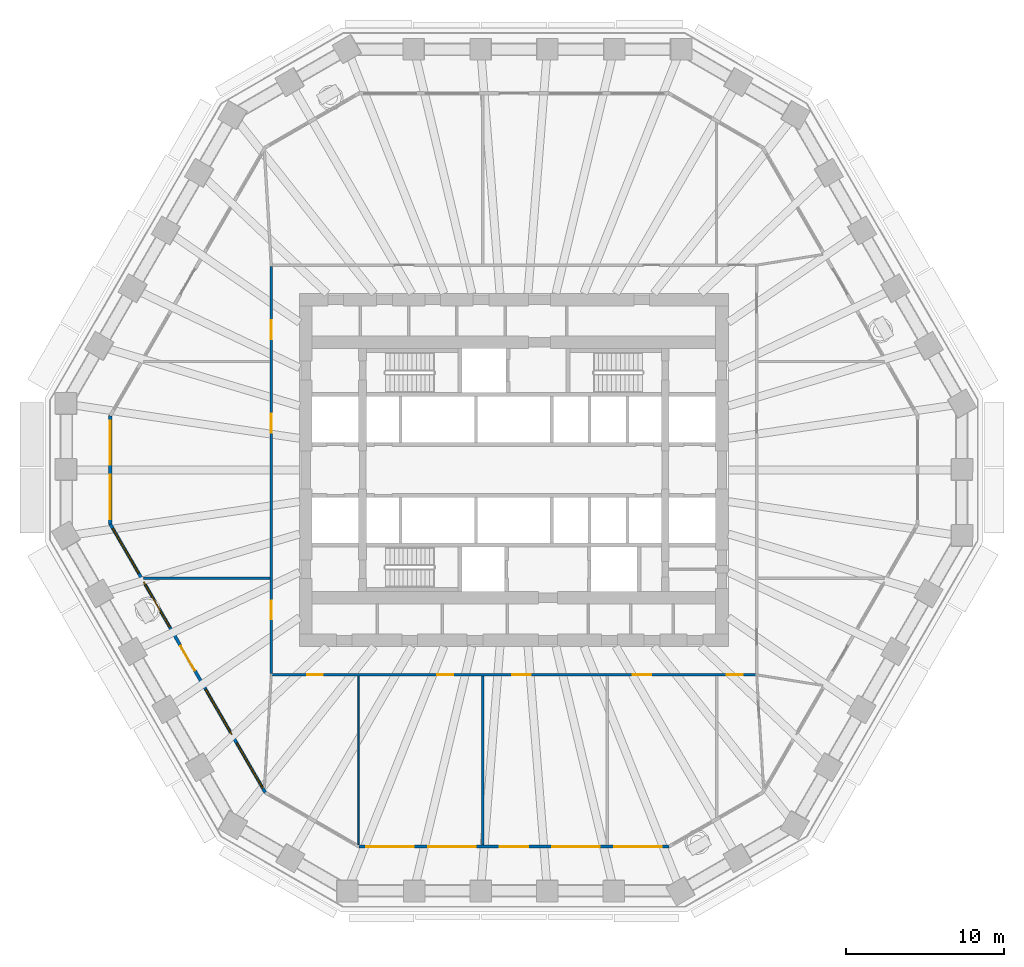
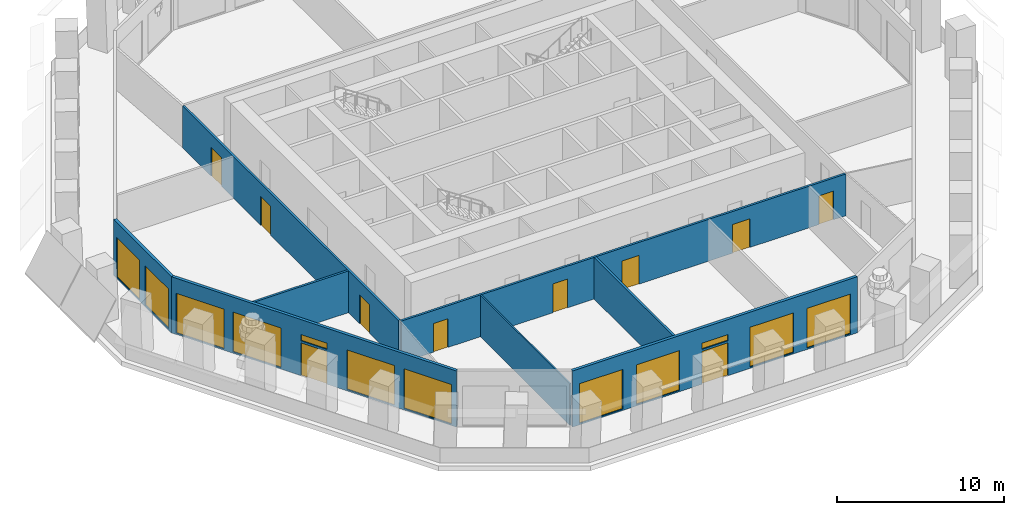
# One storey, part 3 of 12: 12 windows, 10 doors, 8 walls, 22 openings.
"""IFC4 building model written with IfcOpenShell, lengths in metres."""

from ifc_helpers import new_model, si_unit, direction, frame, frame_2d, origin, place, context, subcontext, project, spatial, polyline, rectangle, outline, extrude, material, layer, layer_set, type_object, element, fill, save


model = new_model("IFC4")

# Units and contexts
model_context = context("Model", 3, precision=1e-05, world=origin(), true_north=direction((0.0, 1.0)))
body_context = subcontext(model_context, "Body", "Model", "MODEL_VIEW")
ifc_project = project(units=[si_unit("LENGTHUNIT", "METRE"), si_unit("AREAUNIT", "SQUARE_METRE"), si_unit("VOLUMEUNIT", "CUBIC_METRE"), si_unit("PLANEANGLEUNIT", "RADIAN"), si_unit("MASSUNIT", "GRAM", prefix="KILO")], contexts=[model_context])

# Site, building, storey
site_placement = place(None, origin())
site = spatial("IfcSite", under=ifc_project, at=site_placement, CompositionType="ELEMENT")
building_placement = place(site_placement, origin())
building = spatial("IfcBuilding", under=site, at=building_placement, Name="Frailejon Research Tower", CompositionType="ELEMENT")
storey_placement = place(building_placement, frame((0.0, 0.0, 80.800048828125)))
storey = spatial("IfcBuildingStorey", under=building, at=storey_placement, Name="L17", CompositionType="ELEMENT", Elevation=80.800048828125)

# Wall, openings, doors
ifc_material_1 = material(Name="Gypsum board and masonry partition", Category="masonry")
ifc_layer_1 = layer(ifc_material_1, 0.14990234375)
ifc_layer_set_1 = layer_set([ifc_layer_1], Name="Corridor wall EI 60, gypsum on steel studs 150")
wall_type_1 = type_object("IfcWallType", Name="Corridor wall EI 60, gypsum on steel studs 150", PredefinedType="PARTITIONING", material=ifc_layer_set_1)
wall_1_placement = place(storey_placement, frame((-15.39990234375, -12.925048828125, 0.0), z_axis=(0.0, 0.0, 1.0), x_axis=(0.0, 1.0, 0.0)))
wall_1 = element("IfcWall", 1, at=wall_1_placement, inside=storey, type_object=wall_type_1, Name="T:IW:L17:003", PredefinedType="PARTITIONING", context=body_context, shape_type="SweptSolid", body=[
    extrude(rectangle(XDim=25.85009765625, YDim=0.14990234375, at=frame_2d((12.925048828125, 0.0))), origin(), (0.0, 0.0, 1.0), 3.050048828125),
])
opening_1_placement = place(wall_1_placement, frame((21.208740234375, 0.0, 0.0)))
opening_1 = element("IfcOpeningElement", 2, at=opening_1_placement, cuts=wall_1, Name="Opening D1488", PredefinedType="OPENING", context=body_context, shape_type="SweptSolid", body=[
    extrude(rectangle(XDim=1.199951171875, YDim=2.10009765625, at=frame_2d((0.60009765625, 1.050048828125))), frame((0.0, 0.0849609375, 0.0), z_axis=(0.0, -1.0, 0.0), x_axis=(1.0, 0.0, 0.0)), (0.0, 0.0, 1.0), 0.169921875),
])
opening_2_placement = place(wall_1_placement, frame((15.289306640625, 0.0, 0.0)))
opening_2 = element("IfcOpeningElement", 3, at=opening_2_placement, cuts=wall_1, Name="Opening D1489", PredefinedType="OPENING", context=body_context, shape_type="SweptSolid", body=[
    extrude(rectangle(XDim=1.199951171875, YDim=2.10009765625, at=frame_2d((0.60009765625, 1.050048828125))), frame((0.0, 0.0849609375, 0.0), z_axis=(0.0, -1.0, 0.0), x_axis=(1.0, 0.0, 0.0)), (0.0, 0.0, 1.0), 0.169921875),
])
opening_3_placement = place(wall_1_placement, frame((3.441162109375, 0.0, 0.0)))
opening_3 = element("IfcOpeningElement", 4, at=opening_3_placement, cuts=wall_1, Name="Opening D1490", PredefinedType="OPENING", context=body_context, shape_type="SweptSolid", body=[
    extrude(rectangle(XDim=1.199951171875, YDim=2.10009765625, at=frame_2d((0.60009765625, 1.050048828125))), frame((0.0, 0.0849609375, 0.0), z_axis=(0.0, -1.0, 0.0), x_axis=(1.0, 0.0, 0.0)), (0.0, 0.0, 1.0), 0.169921875),
])
ifc_material_2 = material(Name="Timber door leaf", Category="wood")
door_type_1 = type_object("IfcDoorType", Name="Door laboratory, timber, vision panel 1200", OperationType="NOTDEFINED", PredefinedType="DOOR", material=ifc_material_2)
door_1_placement = place(opening_1_placement, origin())
door_1 = element("IfcDoor", 5, at=door_1_placement, inside=storey, type_object=door_type_1, Name="D1488", OperationType="DOUBLE_DOOR_SINGLE_SWING", OverallHeight=2.10009765625, OverallWidth=1.199951171875, PredefinedType="DOOR", context=body_context, shape_type="SweptSolid", body=[
    extrude(rectangle(XDim=1.199951171875, YDim=2.10009765625, at=frame_2d((0.60009765625, 1.050048828125))), frame((0.0, 0.02490234375, 0.0), z_axis=(0.0, -1.0, 0.0), x_axis=(1.0, 0.0, 0.0)), (0.0, 0.0, 1.0), 0.050048828125),
])
fill(opening_1, door_1)
door_2_placement = place(opening_2_placement, origin())
door_2 = element("IfcDoor", 6, at=door_2_placement, inside=storey, type_object=door_type_1, Name="D1489", OperationType="DOUBLE_DOOR_SINGLE_SWING", OverallHeight=2.10009765625, OverallWidth=1.199951171875, PredefinedType="DOOR", context=body_context, shape_type="SweptSolid", body=[
    extrude(rectangle(XDim=1.199951171875, YDim=2.10009765625, at=frame_2d((0.60009765625, 1.050048828125))), frame((0.0, 0.02490234375, 0.0), z_axis=(0.0, -1.0, 0.0), x_axis=(1.0, 0.0, 0.0)), (0.0, 0.0, 1.0), 0.050048828125),
])
fill(opening_2, door_2)
ifc_material_3 = material(Name="Timber door leaf", Category="wood")
door_type_2 = type_object("IfcDoorType", Name="Door single leaf, timber, steel frame 1200", OperationType="NOTDEFINED", PredefinedType="DOOR", material=ifc_material_3)
door_3_placement = place(opening_3_placement, origin())
door_3 = element("IfcDoor", 7, at=door_3_placement, inside=storey, type_object=door_type_2, Name="D1490", OperationType="DOUBLE_DOOR_SINGLE_SWING", OverallHeight=2.10009765625, OverallWidth=1.199951171875, PredefinedType="DOOR", context=body_context, shape_type="SweptSolid", body=[
    extrude(rectangle(XDim=1.199951171875, YDim=2.10009765625, at=frame_2d((0.60009765625, 1.050048828125))), frame((0.0, 0.02490234375, 0.0), z_axis=(0.0, -1.0, 0.0), x_axis=(1.0, 0.0, 0.0)), (0.0, 0.0, 1.0), 0.050048828125),
])
fill(opening_3, door_3)

wall_2_placement = place(storey_placement, frame((-15.35009765625, -13.0, 0.0), z_axis=(0.0, 0.0, 1.0), x_axis=(1.0, 0.0, 0.0)))
wall_2 = element("IfcWall", 8, at=wall_2_placement, inside=storey, type_object=wall_type_1, Name="T:IW:L17:004", PredefinedType="PARTITIONING", context=body_context, shape_type="SweptSolid", body=[
    extrude(rectangle(XDim=30.7001953125, YDim=0.14990234375, at=frame_2d((15.35009765625, 0.0))), origin(), (0.0, 0.0, 1.0), 3.050048828125),
])
opening_4_placement = place(wall_2_placement, frame((2.2216796875, 0.0, 0.0)))
opening_4 = element("IfcOpeningElement", 9, at=opening_4_placement, cuts=wall_2, Name="Opening D1491", PredefinedType="OPENING", context=body_context, shape_type="SweptSolid", body=[
    extrude(rectangle(XDim=1.0, YDim=2.10009765625, at=frame_2d((0.5, 1.050048828125))), frame((0.0, 0.0849609375, 0.0), z_axis=(0.0, -1.0, 0.0), x_axis=(1.0, 0.0, 0.0)), (0.0, 0.0, 1.0), 0.169921875),
])
opening_5_placement = place(wall_2_placement, frame((10.482421875, 0.0, 0.0)))
opening_5 = element("IfcOpeningElement", 10, at=opening_5_placement, cuts=wall_2, Name="Opening D1492", PredefinedType="OPENING", context=body_context, shape_type="SweptSolid", body=[
    extrude(rectangle(XDim=1.0, YDim=2.10009765625, at=frame_2d((0.5, 1.050048828125))), frame((0.0, 0.0849609375, 0.0), z_axis=(0.0, -1.0, 0.0), x_axis=(1.0, 0.0, 0.0)), (0.0, 0.0, 1.0), 0.169921875),
])
opening_6_placement = place(wall_2_placement, frame((15.22509765625, 0.0, 0.0)))
opening_6 = element("IfcOpeningElement", 11, at=opening_6_placement, cuts=wall_2, Name="Opening D1493", PredefinedType="OPENING", context=body_context, shape_type="SweptSolid", body=[
    extrude(rectangle(XDim=1.199951171875, YDim=2.10009765625, at=frame_2d((0.60009765625, 1.050048828125))), frame((0.0, 0.0849609375, 0.0), z_axis=(0.0, -1.0, 0.0), x_axis=(1.0, 0.0, 0.0)), (0.0, 0.0, 1.0), 0.169921875),
])
opening_7_placement = place(wall_2_placement, frame((22.87451171875, 0.0, 0.0)))
opening_7 = element("IfcOpeningElement", 12, at=opening_7_placement, cuts=wall_2, Name="Opening D1494", PredefinedType="OPENING", context=body_context, shape_type="SweptSolid", body=[
    extrude(rectangle(XDim=1.199951171875, YDim=2.10009765625, at=frame_2d((0.60009765625, 1.050048828125))), frame((0.0, 0.0849609375, 0.0), z_axis=(0.0, -1.0, 0.0), x_axis=(1.0, 0.0, 0.0)), (0.0, 0.0, 1.0), 0.169921875),
])
opening_8_placement = place(wall_2_placement, frame((28.851806640625, 0.0, 0.0)))
opening_8 = element("IfcOpeningElement", 13, at=opening_8_placement, cuts=wall_2, Name="Opening D1495", PredefinedType="OPENING", context=body_context, shape_type="SweptSolid", body=[
    extrude(rectangle(XDim=1.0, YDim=2.10009765625, at=frame_2d((0.5, 1.050048828125))), frame((0.0, 0.0849609375, 0.0), z_axis=(0.0, -1.0, 0.0), x_axis=(1.0, 0.0, 0.0)), (0.0, 0.0, 1.0), 0.169921875),
])
door_4_placement = place(opening_6_placement, origin())
door_4 = element("IfcDoor", 14, at=door_4_placement, inside=storey, type_object=door_type_1, Name="D1493", OperationType="DOUBLE_DOOR_SINGLE_SWING", OverallHeight=2.10009765625, OverallWidth=1.199951171875, PredefinedType="DOOR", context=body_context, shape_type="SweptSolid", body=[
    extrude(rectangle(XDim=1.199951171875, YDim=2.10009765625, at=frame_2d((0.60009765625, 1.050048828125))), frame((0.0, 0.02490234375, 0.0), z_axis=(0.0, -1.0, 0.0), x_axis=(1.0, 0.0, 0.0)), (0.0, 0.0, 1.0), 0.050048828125),
])
fill(opening_6, door_4)
door_5_placement = place(opening_7_placement, origin())
door_5 = element("IfcDoor", 15, at=door_5_placement, inside=storey, type_object=door_type_1, Name="D1494", OperationType="DOUBLE_DOOR_SINGLE_SWING", OverallHeight=2.10009765625, OverallWidth=1.199951171875, PredefinedType="DOOR", context=body_context, shape_type="SweptSolid", body=[
    extrude(rectangle(XDim=1.199951171875, YDim=2.10009765625, at=frame_2d((0.60009765625, 1.050048828125))), frame((0.0, 0.02490234375, 0.0), z_axis=(0.0, -1.0, 0.0), x_axis=(1.0, 0.0, 0.0)), (0.0, 0.0, 1.0), 0.050048828125),
])
fill(opening_7, door_5)
ifc_material_4 = material(Name="Timber door leaf", Category="wood")
door_type_3 = type_object("IfcDoorType", Name="Door single leaf, timber, steel frame 1000", OperationType="NOTDEFINED", PredefinedType="DOOR", material=ifc_material_4)
door_6_placement = place(opening_4_placement, origin())
door_6 = element("IfcDoor", 16, at=door_6_placement, inside=storey, type_object=door_type_3, Name="D1491", OperationType="SINGLE_SWING_LEFT", OverallHeight=2.10009765625, OverallWidth=1.0, PredefinedType="DOOR", context=body_context, shape_type="SweptSolid", body=[
    extrude(rectangle(XDim=1.0, YDim=2.10009765625, at=frame_2d((0.5, 1.050048828125))), frame((0.0, 0.02490234375, 0.0), z_axis=(0.0, -1.0, 0.0), x_axis=(1.0, 0.0, 0.0)), (0.0, 0.0, 1.0), 0.050048828125),
])
fill(opening_4, door_6)
door_7_placement = place(opening_5_placement, origin())
door_7 = element("IfcDoor", 17, at=door_7_placement, inside=storey, type_object=door_type_3, Name="D1492", OperationType="SINGLE_SWING_LEFT", OverallHeight=2.10009765625, OverallWidth=1.0, PredefinedType="DOOR", context=body_context, shape_type="SweptSolid", body=[
    extrude(rectangle(XDim=1.0, YDim=2.10009765625, at=frame_2d((0.5, 1.050048828125))), frame((0.0, 0.02490234375, 0.0), z_axis=(0.0, -1.0, 0.0), x_axis=(1.0, 0.0, 0.0)), (0.0, 0.0, 1.0), 0.050048828125),
])
fill(opening_5, door_7)
door_8_placement = place(opening_8_placement, origin())
door_8 = element("IfcDoor", 18, at=door_8_placement, inside=storey, type_object=door_type_3, Name="D1495", OperationType="SINGLE_SWING_RIGHT", OverallHeight=2.10009765625, OverallWidth=1.0, PredefinedType="DOOR", context=body_context, shape_type="SweptSolid", body=[
    extrude(rectangle(XDim=1.0, YDim=2.10009765625, at=frame_2d((0.5, 1.050048828125))), frame((0.0, 0.02490234375, 0.0), z_axis=(0.0, -1.0, 0.0), x_axis=(1.0, 0.0, 0.0)), (0.0, 0.0, 1.0), 0.050048828125),
])
fill(opening_8, door_8)

# Walls
ifc_material_5 = material(Name="Gypsum board and masonry partition", Category="masonry")
ifc_layer_2 = layer(ifc_material_5, 0.14990234375)
ifc_layer_set_2 = layer_set([ifc_layer_2], Name="Laboratory partition, blockwork 150")
wall_type_2 = type_object("IfcWallType", Name="Laboratory partition, blockwork 150", PredefinedType="PARTITIONING", material=ifc_layer_set_2)
wall_3_placement = place(storey_placement, frame((-23.510498046875, -6.87841796875, 0.0), z_axis=(0.0, 0.0, 1.0), x_axis=(1.0, 0.0, 0.0)))
element("IfcWall", 19, at=wall_3_placement, inside=storey, type_object=wall_type_2, Name="T:IW:L17:007", PredefinedType="PARTITIONING", context=body_context, shape_type="SweptSolid", body=[
    extrude(rectangle(XDim=8.035400390625, YDim=0.14990234375, at=frame_2d((4.017578125, 0.0))), origin(), (0.0, 0.0, 1.0), 3.050048828125),
])
wall_4_placement = place(storey_placement, frame((-1.97119140625, -23.800048828125, 0.0), z_axis=(0.0, 0.0, 1.0), x_axis=(0.0, 1.0, 0.0)))
element("IfcWall", 20, at=wall_4_placement, inside=storey, type_object=wall_type_2, Name="T:IW:L17:009", PredefinedType="PARTITIONING", context=body_context, shape_type="SweptSolid", body=[
    extrude(rectangle(XDim=10.72509765625, YDim=0.14990234375, at=frame_2d((5.362548828125, 0.0))), origin(), (0.0, 0.0, 1.0), 3.050048828125),
])
ifc_material_6 = material(Name="Gypsum board and masonry partition", Category="masonry")
ifc_layer_3 = layer(ifc_material_6, 0.10009765625)
ifc_layer_set_3 = layer_set([ifc_layer_3], Name="Partition, gypsum on steel studs 100")
wall_type_3 = type_object("IfcWallType", Name="Partition, gypsum on steel studs 100", PredefinedType="PARTITIONING", material=ifc_layer_set_3)
wall_5_placement = place(storey_placement, frame((-9.8564453125, -23.76904296875, 0.0), z_axis=(0.0, 0.0, 1.0), x_axis=(0.0, 1.0, 0.0)))
element("IfcWall", 21, at=wall_5_placement, inside=storey, type_object=wall_type_3, Name="T:IW:L17:017", PredefinedType="PARTITIONING", context=body_context, shape_type="SweptSolid", body=[
    extrude(rectangle(XDim=10.694091796875, YDim=0.10009765625, at=frame_2d((5.34716796875, 0.0))), origin(), (0.0, 0.0, 1.0), 3.050048828125),
])

# Wall, openings, windows
ifc_material_7 = material(Name="Concrete C40/50 precast window wall panel", Category="concrete")
ifc_layer_4 = layer(ifc_material_7, 0.199951171875)
ifc_layer_set_4 = layer_set([ifc_layer_4], Name="Window wall 200")
wall_type_4 = type_object("IfcWallType", Name="Window wall 200", PredefinedType="SOLIDWALL", material=ifc_layer_set_4)
wall_6_placement = place(storey_placement, frame((-25.61279296875, 3.437255859375, 0.0), z_axis=(0.0, 0.0, 1.0), x_axis=(0.0, -1.0, 0.0)))
wall_6 = element("IfcWall", 22, at=wall_6_placement, inside=storey, type_object=wall_type_4, Name="Exterior wall L17", PredefinedType="SOLIDWALL", context=body_context, shape_type="SweptSolid", body=[
    extrude(outline(polyline([(-0.02685546875, -0.10009765625), (1.1279296875, -0.10009765625), (2.282470703125, -0.10009765625), (3.437255859375, -0.10009765625), (4.592041015625, -0.10009765625), (5.74658203125, -0.10009765625), (6.9013671875, -0.10009765625), (6.84765625, 0.10009765625), (5.7109375, 0.10009765625), (4.573974609375, 0.10009765625), (3.437255859375, 0.10009765625), (2.300537109375, 0.10009765625), (1.16357421875, 0.10009765625), (0.02685546875, 0.10009765625), (-0.02685546875, -0.10009765625)])), origin(), (0.0, 0.0, 1.0), 4.099853515625),
])
opening_9_placement = place(wall_6_placement, frame((0.318603515625, 0.0, 0.10009765625)))
opening_9 = element("IfcOpeningElement", 23, at=opening_9_placement, cuts=wall_6, Name="Opening W3", PredefinedType="OPENING", context=body_context, shape_type="SweptSolid", body=[
    extrude(rectangle(XDim=2.800048828125, YDim=2.89990234375, at=frame_2d((1.39990234375, 1.449951171875))), frame((0.0, 0.10986328125, 0.0), z_axis=(0.0, -1.0, 0.0), x_axis=(1.0, 0.0, 0.0)), (0.0, 0.0, 1.0), 0.219970703125),
])
opening_10_placement = place(wall_6_placement, frame((3.756103515625, 0.0, 0.10009765625)))
opening_10 = element("IfcOpeningElement", 24, at=opening_10_placement, cuts=wall_6, Name="Opening W3", PredefinedType="OPENING", context=body_context, shape_type="SweptSolid", body=[
    extrude(rectangle(XDim=2.800048828125, YDim=2.89990234375, at=frame_2d((1.39990234375, 1.449951171875))), frame((0.0, 0.10986328125, 0.0), z_axis=(0.0, -1.0, 0.0), x_axis=(1.0, 0.0, 0.0)), (0.0, 0.0, 1.0), 0.219970703125),
])
ifc_material_8 = material(Name="Aluminium framed double glazing", Category="aluminium")
window_type_1 = type_object("IfcWindowType", Name="Window 2800x2900", PartitioningType="SINGLE_PANEL", PredefinedType="WINDOW", material=ifc_material_8)
window_1_placement = place(opening_9_placement, origin())
window_1 = element("IfcWindow", 25, at=window_1_placement, inside=storey, type_object=window_type_1, Name="Window L17", OverallHeight=2.89990234375, OverallWidth=2.800048828125, PartitioningType="SINGLE_PANEL", PredefinedType="WINDOW", context=body_context, shape_type="SweptSolid", body=[
    extrude(rectangle(XDim=2.800048828125, YDim=2.89990234375, at=frame_2d((1.39990234375, 1.449951171875))), frame((0.0, 0.030029296875, 0.0), z_axis=(0.0, -1.0, 0.0), x_axis=(1.0, 0.0, 0.0)), (0.0, 0.0, 1.0), 0.06005859375),
])
fill(opening_9, window_1)
window_2_placement = place(opening_10_placement, origin())
window_2 = element("IfcWindow", 26, at=window_2_placement, inside=storey, type_object=window_type_1, Name="Window L17", OverallHeight=2.89990234375, OverallWidth=2.800048828125, PartitioningType="SINGLE_PANEL", PredefinedType="WINDOW", context=body_context, shape_type="SweptSolid", body=[
    extrude(rectangle(XDim=2.800048828125, YDim=2.89990234375, at=frame_2d((1.39990234375, 1.449951171875))), frame((0.0, 0.030029296875, 0.0), z_axis=(0.0, -1.0, 0.0), x_axis=(1.0, 0.0, 0.0)), (0.0, 0.0, 1.0), 0.06005859375),
])
fill(opening_10, window_2)

# Wall, openings, door, windows
wall_7_placement = place(storey_placement, frame((-25.61279296875, -3.437255859375, 0.0), z_axis=(0.0, 0.0, 1.0), x_axis=(0.499999083763, -0.866025932773, 0.0)))
wall_7 = element("IfcWall", 27, at=wall_7_placement, inside=storey, type_object=wall_type_4, Name="Exterior wall L17", PredefinedType="SOLIDWALL", context=body_context, shape_type="SweptSolid", body=[
    extrude(outline(polyline([(-0.02685546875, -0.10009765625), (1.0107421875, -0.10009765625), (2.048095703125, -0.10009765625), (3.085693359375, -0.10009765625), (4.123291015625, -0.10009765625), (5.16064453125, -0.10009765625), (6.1982421875, -0.10009765625), (7.23583984375, -0.10009765625), (8.273193359375, -0.10009765625), (9.310791015625, -0.10009765625), (10.348388671875, -0.10009765625), (11.385986328125, -0.10009765625), (12.42333984375, -0.10009765625), (13.4609375, -0.10009765625), (14.49853515625, -0.10009765625), (15.535888671875, -0.10009765625), (16.573486328125, -0.10009765625), (17.611083984375, -0.10009765625), (18.6484375, -0.10009765625), (19.68603515625, -0.10009765625), (19.63232421875, 0.10009765625), (18.600341796875, 0.10009765625), (17.568603515625, 0.10009765625), (16.53662109375, 0.10009765625), (15.5048828125, 0.10009765625), (14.472900390625, 0.10009765625), (13.441162109375, 0.10009765625), (12.4091796875, 0.10009765625), (11.37744140625, 0.10009765625), (10.345458984375, 0.10009765625), (9.313720703125, 0.10009765625), (8.28173828125, 0.10009765625), (7.25, 0.10009765625), (6.218017578125, 0.10009765625), (5.186279296875, 0.10009765625), (4.154296875, 0.10009765625), (3.12255859375, 0.10009765625), (2.090576171875, 0.10009765625), (1.058837890625, 0.10009765625), (0.02685546875, 0.10009765625), (-0.02685546875, -0.10009765625)])), origin(), (0.0, 0.0, 1.0), 4.099853515625),
])
opening_11_placement = place(wall_7_placement, frame((0.31591796875, 0.0, 0.10009765625)))
opening_11 = element("IfcOpeningElement", 28, at=opening_11_placement, cuts=wall_7, Name="Opening W5", PredefinedType="OPENING", context=body_context, shape_type="SweptSolid", body=[
    extrude(rectangle(XDim=3.300048828125, YDim=2.89990234375, at=frame_2d((1.64990234375, 1.449951171875))), frame((0.0, 0.10986328125, 0.0), z_axis=(0.0, -1.0, 0.0), x_axis=(1.0, 0.0, 0.0)), (0.0, 0.0, 1.0), 0.219970703125),
])
opening_12_placement = place(wall_7_placement, frame((4.247802734375, 0.0, 0.10009765625)))
opening_12 = element("IfcOpeningElement", 29, at=opening_12_placement, cuts=wall_7, Name="Opening W5", PredefinedType="OPENING", context=body_context, shape_type="SweptSolid", body=[
    extrude(rectangle(XDim=3.300048828125, YDim=2.89990234375, at=frame_2d((1.64990234375, 1.449951171875))), frame((0.0, 0.10986328125, 0.0), z_axis=(0.0, -1.0, 0.0), x_axis=(1.0, 0.0, 0.0)), (0.0, 0.0, 1.0), 0.219970703125),
])
opening_13_placement = place(wall_7_placement, frame((8.9296875, 0.0, 0.0)))
opening_13 = element("IfcOpeningElement", 30, at=opening_13_placement, cuts=wall_7, Name="Opening LG17-4", PredefinedType="OPENING", context=body_context, shape_type="SweptSolid", body=[
    extrude(rectangle(XDim=1.800048828125, YDim=2.39990234375, at=frame_2d((0.89990234375, 1.199951171875))), frame((0.0, 0.10986328125, 0.0), z_axis=(0.0, -1.0, 0.0), x_axis=(1.0, 0.0, 0.0)), (0.0, 0.0, 1.0), 0.219970703125),
])
opening_14_placement = place(wall_7_placement, frame((8.9296875, 0.0, 2.550048828125)))
opening_14 = element("IfcOpeningElement", 31, at=opening_14_placement, cuts=wall_7, Name="Opening W1", PredefinedType="OPENING", context=body_context, shape_type="SweptSolid", body=[
    extrude(rectangle(XDim=1.800048828125, YDim=0.449951171875, at=frame_2d((0.89990234375, 0.22509765625))), frame((0.0, 0.10986328125, 0.0), z_axis=(0.0, -1.0, 0.0), x_axis=(1.0, 0.0, 0.0)), (0.0, 0.0, 1.0), 0.219970703125),
])
opening_15_placement = place(wall_7_placement, frame((12.111572265625, 0.0, 0.10009765625)))
opening_15 = element("IfcOpeningElement", 32, at=opening_15_placement, cuts=wall_7, Name="Opening W5", PredefinedType="OPENING", context=body_context, shape_type="SweptSolid", body=[
    extrude(rectangle(XDim=3.300048828125, YDim=2.89990234375, at=frame_2d((1.64990234375, 1.449951171875))), frame((0.0, 0.10986328125, 0.0), z_axis=(0.0, -1.0, 0.0), x_axis=(1.0, 0.0, 0.0)), (0.0, 0.0, 1.0), 0.219970703125),
])
opening_16_placement = place(wall_7_placement, frame((16.043212890625, 0.0, 0.10009765625)))
opening_16 = element("IfcOpeningElement", 33, at=opening_16_placement, cuts=wall_7, Name="Opening W5", PredefinedType="OPENING", context=body_context, shape_type="SweptSolid", body=[
    extrude(rectangle(XDim=3.300048828125, YDim=2.89990234375, at=frame_2d((1.64990234375, 1.449951171875))), frame((0.0, 0.10986328125, 0.0), z_axis=(0.0, -1.0, 0.0), x_axis=(1.0, 0.0, 0.0)), (0.0, 0.0, 1.0), 0.219970703125),
])
ifc_material_9 = material(Name="Aluminium framed glazed door leaf", Category="aluminium")
door_type_4 = type_object("IfcDoorType", Name="Loggia door 1800x2400", OperationType="DOUBLE_DOOR_SINGLE_SWING", PredefinedType="DOOR", material=ifc_material_9)
door_9_placement = place(opening_13_placement, origin())
door_9 = element("IfcDoor", 34, at=door_9_placement, inside=storey, type_object=door_type_4, Name="Door LG17-4", OperationType="DOUBLE_DOOR_SINGLE_SWING", OverallHeight=2.39990234375, OverallWidth=1.800048828125, PredefinedType="DOOR", context=body_context, shape_type="SweptSolid", body=[
    extrude(rectangle(XDim=1.800048828125, YDim=2.39990234375, at=frame_2d((0.89990234375, 1.199951171875))), frame((0.0, 0.02490234375, 0.0), z_axis=(0.0, -1.0, 0.0), x_axis=(1.0, 0.0, 0.0)), (0.0, 0.0, 1.0), 0.050048828125),
])
fill(opening_13, door_9)
ifc_material_10 = material(Name="Aluminium framed double glazing", Category="aluminium")
window_type_2 = type_object("IfcWindowType", Name="Window 1800x450", PartitioningType="SINGLE_PANEL", PredefinedType="WINDOW", material=ifc_material_10)
window_3_placement = place(opening_14_placement, origin())
window_3 = element("IfcWindow", 35, at=window_3_placement, inside=storey, type_object=window_type_2, Name="Window L17", OverallHeight=0.449951171875, OverallWidth=1.800048828125, PartitioningType="SINGLE_PANEL", PredefinedType="WINDOW", context=body_context, shape_type="SweptSolid", body=[
    extrude(rectangle(XDim=1.800048828125, YDim=0.449951171875, at=frame_2d((0.89990234375, 0.22509765625))), frame((0.0, 0.030029296875, 0.0), z_axis=(0.0, -1.0, 0.0), x_axis=(1.0, 0.0, 0.0)), (0.0, 0.0, 1.0), 0.06005859375),
])
fill(opening_14, window_3)
ifc_material_11 = material(Name="Aluminium framed double glazing", Category="aluminium")
window_type_3 = type_object("IfcWindowType", Name="Window 3300x2900", PartitioningType="SINGLE_PANEL", PredefinedType="WINDOW", material=ifc_material_11)
window_4_placement = place(opening_11_placement, origin())
window_4 = element("IfcWindow", 36, at=window_4_placement, inside=storey, type_object=window_type_3, Name="Window L17", OverallHeight=2.89990234375, OverallWidth=3.300048828125, PartitioningType="SINGLE_PANEL", PredefinedType="WINDOW", context=body_context, shape_type="SweptSolid", body=[
    extrude(rectangle(XDim=3.300048828125, YDim=2.89990234375, at=frame_2d((1.64990234375, 1.449951171875))), frame((0.0, 0.030029296875, 0.0), z_axis=(0.0, -1.0, 0.0), x_axis=(1.0, 0.0, 0.0)), (0.0, 0.0, 1.0), 0.06005859375),
])
fill(opening_11, window_4)
window_5_placement = place(opening_12_placement, origin())
window_5 = element("IfcWindow", 37, at=window_5_placement, inside=storey, type_object=window_type_3, Name="Window L17", OverallHeight=2.89990234375, OverallWidth=3.300048828125, PartitioningType="SINGLE_PANEL", PredefinedType="WINDOW", context=body_context, shape_type="SweptSolid", body=[
    extrude(rectangle(XDim=3.300048828125, YDim=2.89990234375, at=frame_2d((1.64990234375, 1.449951171875))), frame((0.0, 0.030029296875, 0.0), z_axis=(0.0, -1.0, 0.0), x_axis=(1.0, 0.0, 0.0)), (0.0, 0.0, 1.0), 0.06005859375),
])
fill(opening_12, window_5)
window_6_placement = place(opening_15_placement, origin())
window_6 = element("IfcWindow", 38, at=window_6_placement, inside=storey, type_object=window_type_3, Name="Window L17", OverallHeight=2.89990234375, OverallWidth=3.300048828125, PartitioningType="SINGLE_PANEL", PredefinedType="WINDOW", context=body_context, shape_type="SweptSolid", body=[
    extrude(rectangle(XDim=3.300048828125, YDim=2.89990234375, at=frame_2d((1.64990234375, 1.449951171875))), frame((0.0, 0.030029296875, 0.0), z_axis=(0.0, -1.0, 0.0), x_axis=(1.0, 0.0, 0.0)), (0.0, 0.0, 1.0), 0.06005859375),
])
fill(opening_15, window_6)
window_7_placement = place(opening_16_placement, origin())
window_7 = element("IfcWindow", 39, at=window_7_placement, inside=storey, type_object=window_type_3, Name="Window L17", OverallHeight=2.89990234375, OverallWidth=3.300048828125, PartitioningType="SINGLE_PANEL", PredefinedType="WINDOW", context=body_context, shape_type="SweptSolid", body=[
    extrude(rectangle(XDim=3.300048828125, YDim=2.89990234375, at=frame_2d((1.64990234375, 1.449951171875))), frame((0.0, 0.030029296875, 0.0), z_axis=(0.0, -1.0, 0.0), x_axis=(1.0, 0.0, 0.0)), (0.0, 0.0, 1.0), 0.06005859375),
])
fill(opening_16, window_7)

wall_8_placement = place(storey_placement, frame((-9.82958984375, -23.89990234375, 0.0), z_axis=(0.0, 0.0, 1.0), x_axis=(1.0, 0.0, 0.0)))
wall_8 = element("IfcWall", 40, at=wall_8_placement, inside=storey, type_object=wall_type_4, Name="Exterior wall L17", PredefinedType="SOLIDWALL", context=body_context, shape_type="SweptSolid", body=[
    extrude(outline(polyline([(-0.02685546875, -0.10009765625), (1.0107421875, -0.10009765625), (2.048095703125, -0.10009765625), (3.085693359375, -0.10009765625), (4.123291015625, -0.10009765625), (5.16064453125, -0.10009765625), (6.1982421875, -0.10009765625), (7.23583984375, -0.10009765625), (8.273193359375, -0.10009765625), (9.310791015625, -0.10009765625), (10.348388671875, -0.10009765625), (11.385986328125, -0.10009765625), (12.42333984375, -0.10009765625), (13.4609375, -0.10009765625), (14.49853515625, -0.10009765625), (15.535888671875, -0.10009765625), (16.573486328125, -0.10009765625), (17.611083984375, -0.10009765625), (18.6484375, -0.10009765625), (19.68603515625, -0.10009765625), (19.63232421875, 0.10009765625), (18.600341796875, 0.10009765625), (17.568603515625, 0.10009765625), (16.53662109375, 0.10009765625), (15.5048828125, 0.10009765625), (14.472900390625, 0.10009765625), (13.441162109375, 0.10009765625), (12.4091796875, 0.10009765625), (11.37744140625, 0.10009765625), (10.345458984375, 0.10009765625), (9.313720703125, 0.10009765625), (8.28173828125, 0.10009765625), (7.25, 0.10009765625), (6.218017578125, 0.10009765625), (5.186279296875, 0.10009765625), (4.154296875, 0.10009765625), (3.12255859375, 0.10009765625), (2.090576171875, 0.10009765625), (1.058837890625, 0.10009765625), (0.02685546875, 0.10009765625), (-0.02685546875, -0.10009765625)])), origin(), (0.0, 0.0, 1.0), 4.099853515625),
])
opening_17_placement = place(wall_8_placement, frame((0.4658203125, 0.0, 0.10009765625)))
opening_17 = element("IfcOpeningElement", 41, at=opening_17_placement, cuts=wall_8, Name="Opening W4", PredefinedType="OPENING", context=body_context, shape_type="SweptSolid", body=[
    extrude(rectangle(XDim=3.0, YDim=2.89990234375, at=frame_2d((1.5, 1.449951171875))), frame((0.0, 0.10986328125, 0.0), z_axis=(0.0, -1.0, 0.0), x_axis=(1.0, 0.0, 0.0)), (0.0, 0.0, 1.0), 0.219970703125),
])
opening_18_placement = place(wall_8_placement, frame((4.397705078125, 0.0, 0.10009765625)))
opening_18 = element("IfcOpeningElement", 42, at=opening_18_placement, cuts=wall_8, Name="Opening W4", PredefinedType="OPENING", context=body_context, shape_type="SweptSolid", body=[
    extrude(rectangle(XDim=3.0, YDim=2.89990234375, at=frame_2d((1.5, 1.449951171875))), frame((0.0, 0.10986328125, 0.0), z_axis=(0.0, -1.0, 0.0), x_axis=(1.0, 0.0, 0.0)), (0.0, 0.0, 1.0), 0.219970703125),
])
opening_19_placement = place(wall_8_placement, frame((8.9296875, 0.0, 0.0)))
opening_19 = element("IfcOpeningElement", 43, at=opening_19_placement, cuts=wall_8, Name="Opening LG17-5", PredefinedType="OPENING", context=body_context, shape_type="SweptSolid", body=[
    extrude(rectangle(XDim=1.800048828125, YDim=2.39990234375, at=frame_2d((0.89990234375, 1.199951171875))), frame((0.0, 0.10986328125, 0.0), z_axis=(0.0, -1.0, 0.0), x_axis=(1.0, 0.0, 0.0)), (0.0, 0.0, 1.0), 0.219970703125),
])
opening_20_placement = place(wall_8_placement, frame((8.9296875, 0.0, 2.550048828125)))
opening_20 = element("IfcOpeningElement", 44, at=opening_20_placement, cuts=wall_8, Name="Opening W1", PredefinedType="OPENING", context=body_context, shape_type="SweptSolid", body=[
    extrude(rectangle(XDim=1.800048828125, YDim=0.449951171875, at=frame_2d((0.89990234375, 0.22509765625))), frame((0.0, 0.10986328125, 0.0), z_axis=(0.0, -1.0, 0.0), x_axis=(1.0, 0.0, 0.0)), (0.0, 0.0, 1.0), 0.219970703125),
])
opening_21_placement = place(wall_8_placement, frame((12.261474609375, 0.0, 0.10009765625)))
opening_21 = element("IfcOpeningElement", 45, at=opening_21_placement, cuts=wall_8, Name="Opening W4", PredefinedType="OPENING", context=body_context, shape_type="SweptSolid", body=[
    extrude(rectangle(XDim=3.0, YDim=2.89990234375, at=frame_2d((1.5, 1.449951171875))), frame((0.0, 0.10986328125, 0.0), z_axis=(0.0, -1.0, 0.0), x_axis=(1.0, 0.0, 0.0)), (0.0, 0.0, 1.0), 0.219970703125),
])
opening_22_placement = place(wall_8_placement, frame((16.193359375, 0.0, 0.10009765625)))
opening_22 = element("IfcOpeningElement", 46, at=opening_22_placement, cuts=wall_8, Name="Opening W4", PredefinedType="OPENING", context=body_context, shape_type="SweptSolid", body=[
    extrude(rectangle(XDim=3.0, YDim=2.89990234375, at=frame_2d((1.5, 1.449951171875))), frame((0.0, 0.10986328125, 0.0), z_axis=(0.0, -1.0, 0.0), x_axis=(1.0, 0.0, 0.0)), (0.0, 0.0, 1.0), 0.219970703125),
])
door_10_placement = place(opening_19_placement, origin())
door_10 = element("IfcDoor", 47, at=door_10_placement, inside=storey, type_object=door_type_4, Name="Door LG17-5", OperationType="DOUBLE_DOOR_SINGLE_SWING", OverallHeight=2.39990234375, OverallWidth=1.800048828125, PredefinedType="DOOR", context=body_context, shape_type="SweptSolid", body=[
    extrude(rectangle(XDim=1.800048828125, YDim=2.39990234375, at=frame_2d((0.89990234375, 1.199951171875))), frame((0.0, 0.02490234375, 0.0), z_axis=(0.0, -1.0, 0.0), x_axis=(1.0, 0.0, 0.0)), (0.0, 0.0, 1.0), 0.050048828125),
])
fill(opening_19, door_10)
window_8_placement = place(opening_20_placement, origin())
window_8 = element("IfcWindow", 48, at=window_8_placement, inside=storey, type_object=window_type_2, Name="Window L17", OverallHeight=0.449951171875, OverallWidth=1.800048828125, PartitioningType="SINGLE_PANEL", PredefinedType="WINDOW", context=body_context, shape_type="SweptSolid", body=[
    extrude(rectangle(XDim=1.800048828125, YDim=0.449951171875, at=frame_2d((0.89990234375, 0.22509765625))), frame((0.0, 0.030029296875, 0.0), z_axis=(0.0, -1.0, 0.0), x_axis=(1.0, 0.0, 0.0)), (0.0, 0.0, 1.0), 0.06005859375),
])
fill(opening_20, window_8)
ifc_material_12 = material(Name="Aluminium framed double glazing", Category="aluminium")
window_type_4 = type_object("IfcWindowType", Name="Window 3000x2900", PartitioningType="SINGLE_PANEL", PredefinedType="WINDOW", material=ifc_material_12)
window_9_placement = place(opening_17_placement, origin())
window_9 = element("IfcWindow", 49, at=window_9_placement, inside=storey, type_object=window_type_4, Name="Window L17", OverallHeight=2.89990234375, OverallWidth=3.0, PartitioningType="SINGLE_PANEL", PredefinedType="WINDOW", context=body_context, shape_type="SweptSolid", body=[
    extrude(rectangle(XDim=3.0, YDim=2.89990234375, at=frame_2d((1.5, 1.449951171875))), frame((0.0, 0.030029296875, 0.0), z_axis=(0.0, -1.0, 0.0), x_axis=(1.0, 0.0, 0.0)), (0.0, 0.0, 1.0), 0.06005859375),
])
fill(opening_17, window_9)
window_10_placement = place(opening_18_placement, origin())
window_10 = element("IfcWindow", 50, at=window_10_placement, inside=storey, type_object=window_type_4, Name="Window L17", OverallHeight=2.89990234375, OverallWidth=3.0, PartitioningType="SINGLE_PANEL", PredefinedType="WINDOW", context=body_context, shape_type="SweptSolid", body=[
    extrude(rectangle(XDim=3.0, YDim=2.89990234375, at=frame_2d((1.5, 1.449951171875))), frame((0.0, 0.030029296875, 0.0), z_axis=(0.0, -1.0, 0.0), x_axis=(1.0, 0.0, 0.0)), (0.0, 0.0, 1.0), 0.06005859375),
])
fill(opening_18, window_10)
window_11_placement = place(opening_21_placement, origin())
window_11 = element("IfcWindow", 51, at=window_11_placement, inside=storey, type_object=window_type_4, Name="Window L17", OverallHeight=2.89990234375, OverallWidth=3.0, PartitioningType="SINGLE_PANEL", PredefinedType="WINDOW", context=body_context, shape_type="SweptSolid", body=[
    extrude(rectangle(XDim=3.0, YDim=2.89990234375, at=frame_2d((1.5, 1.449951171875))), frame((0.0, 0.030029296875, 0.0), z_axis=(0.0, -1.0, 0.0), x_axis=(1.0, 0.0, 0.0)), (0.0, 0.0, 1.0), 0.06005859375),
])
fill(opening_21, window_11)
window_12_placement = place(opening_22_placement, origin())
window_12 = element("IfcWindow", 52, at=window_12_placement, inside=storey, type_object=window_type_4, Name="Window L17", OverallHeight=2.89990234375, OverallWidth=3.0, PartitioningType="SINGLE_PANEL", PredefinedType="WINDOW", context=body_context, shape_type="SweptSolid", body=[
    extrude(rectangle(XDim=3.0, YDim=2.89990234375, at=frame_2d((1.5, 1.449951171875))), frame((0.0, 0.030029296875, 0.0), z_axis=(0.0, -1.0, 0.0), x_axis=(1.0, 0.0, 0.0)), (0.0, 0.0, 1.0), 0.06005859375),
])
fill(opening_22, window_12)

save(model, "model.ifc")
